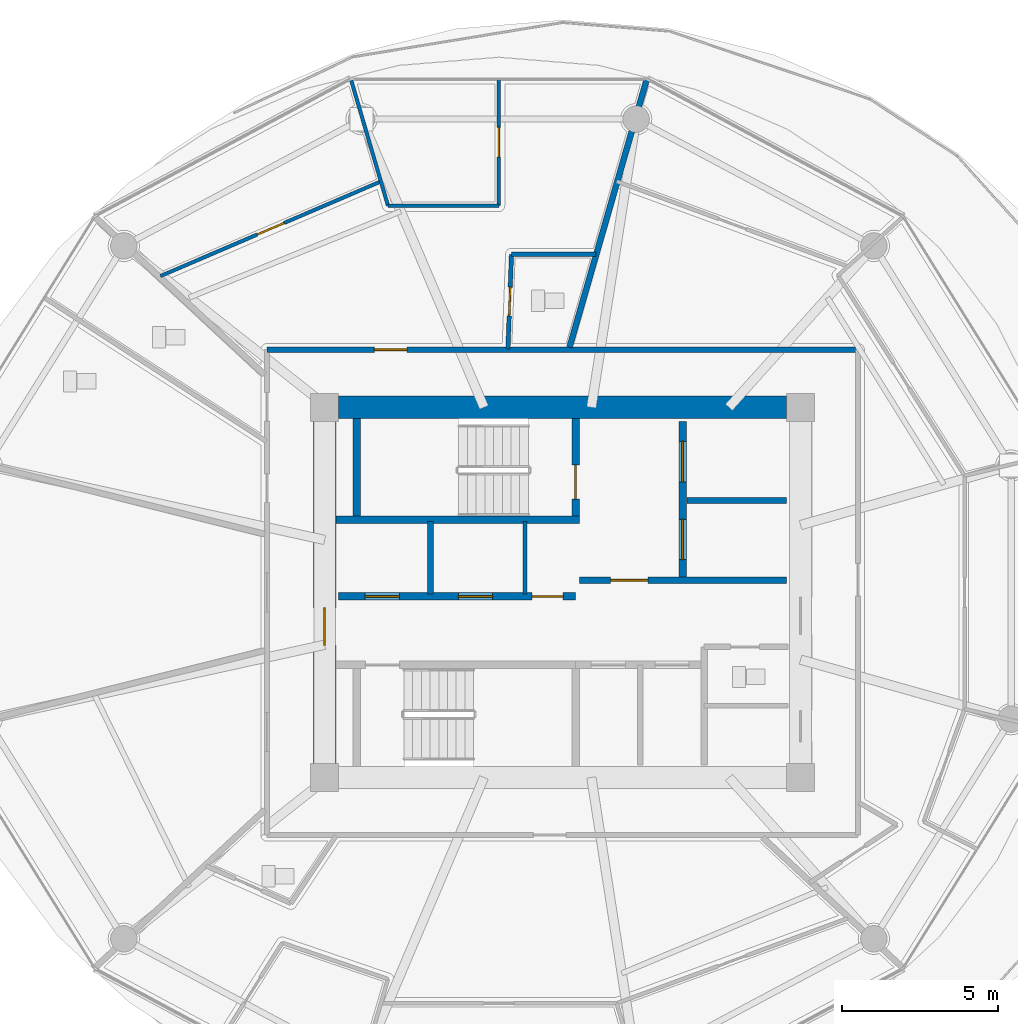
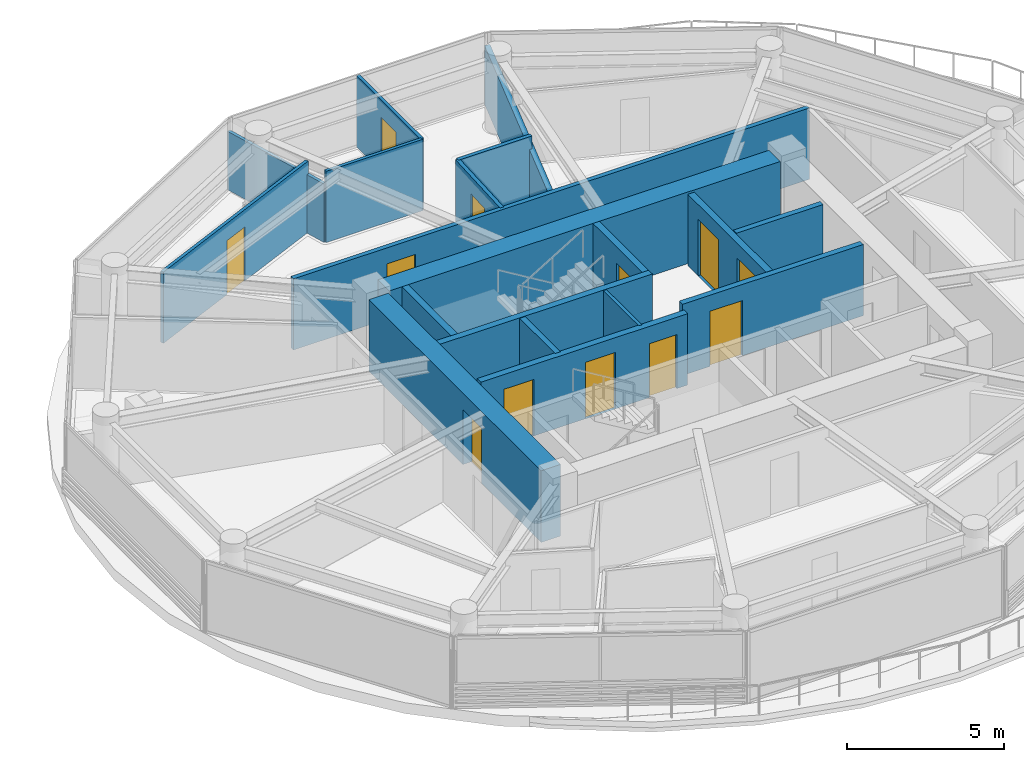
# One storey, part 19 of 32: 19 walls, 12 doors, 12 openings.
"""IFC4 building model written with IfcOpenShell, lengths in metres."""

from ifc_helpers import new_model, si_unit, direction, frame, frame_2d, origin, place, context, subcontext, project, spatial, rectangle, extrude, source, transform, mapped, material, layer, layer_set, type_object, type_shapes, element, fill, save


model = new_model("IFC4")

# Units and contexts
model_context = context("Model", 3, precision=1e-05, world=origin(), true_north=direction((0.0, 1.0)))
body_context = subcontext(model_context, "Body", "Model", "MODEL_VIEW")
ifc_project = project(units=[si_unit("LENGTHUNIT", "METRE"), si_unit("AREAUNIT", "SQUARE_METRE"), si_unit("VOLUMEUNIT", "CUBIC_METRE"), si_unit("PLANEANGLEUNIT", "RADIAN"), si_unit("MASSUNIT", "GRAM", prefix="KILO")], contexts=[model_context])

# Site, building, storey
site_placement = place(None, origin())
site = spatial("IfcSite", under=ifc_project, at=site_placement, CompositionType="ELEMENT")
building_placement = place(site_placement, origin())
building = spatial("IfcBuilding", under=site, at=building_placement, Name="Norrkilde Senior Care Towers", CompositionType="ELEMENT")
storey_placement = place(building_placement, frame((0.0, 0.0, 77.949951171875)))
storey = spatial("IfcBuildingStorey", under=building, at=storey_placement, Name="L23", CompositionType="ELEMENT", Elevation=77.949951171875)

# Wall
ifc_material_1 = material(Name="Concrete C60/75", Category="concrete")
ifc_layer_1 = layer(ifc_material_1, 0.719970703125)
ifc_layer_set_1 = layer_set([ifc_layer_1], Name="Concrete C60/75")
wall_type_1 = type_object("IfcWallType", Name="Core Shear Wall Z2 720", PredefinedType="SHEAR", material=ifc_layer_set_1)
shared_shape_1 = source(origin(), body_context, "Body", "SweptSolid", [
    extrude(rectangle(XDim=14.39990234375, YDim=0.719970703125, at=frame_2d((7.199951171875, 0.0))), origin(), (0.0, 0.0, 1.0), 2.7900390625),
])
wall_1_placement = place(storey_placement, frame((20.800048828125, 5.949951171875, 0.0), z_axis=(0.0, 0.0, 1.0), x_axis=(1.0, 0.0, 0.0)))
element("IfcWall", 1, at=wall_1_placement, inside=storey, type_object=wall_type_1, Name="L23 Core E North Shear Wall", PredefinedType="SHEAR", context=body_context, shape_type="MappedRepresentation", body=[
    mapped(shared_shape_1, transform((0.0, 0.0, 0.0), x_axis=(1.0, 0.0, 0.0), y_axis=(0.0, 1.0, 0.0), z_axis=(0.0, 0.0, 1.0), scale=1.0)),
])

# Wall, opening, door
shared_shape_2 = source(origin(), body_context, "Body", "SweptSolid", [
    extrude(rectangle(XDim=11.0, YDim=0.719970703125, at=frame_2d((5.5, 0.0))), origin(), (0.0, 0.0, 1.0), 2.7900390625),
])
type_shapes(wall_type_1, [shared_shape_1, shared_shape_2])
wall_2_placement = place(storey_placement, frame((20.35009765625, -5.5, 0.0), z_axis=(0.0, 0.0, 1.0), x_axis=(0.0, 1.0, 0.0)))
wall_2 = element("IfcWall", 2, at=wall_2_placement, inside=storey, type_object=wall_type_1, Name="L23 Core E West Shear Wall", PredefinedType="SHEAR", context=body_context, shape_type="MappedRepresentation", body=[
    mapped(shared_shape_2, transform((0.0, 0.0, 0.0), x_axis=(1.0, 0.0, 0.0), y_axis=(0.0, 1.0, 0.0), z_axis=(0.0, 0.0, 1.0), scale=1.0)),
])
opening_1_placement = place(wall_2_placement, frame((3.800048828125, 0.0, 0.0)))
opening_1 = element("IfcOpeningElement", 3, at=opening_1_placement, cuts=wall_2, Name="Opening D-04", PredefinedType="OPENING", context=body_context, shape_type="SweptSolid", body=[
    extrude(rectangle(XDim=1.199951171875, YDim=2.14990234375, at=frame_2d((0.60009765625, 1.074951171875))), frame((0.0, 0.369873046875, 0.0), z_axis=(0.0, -1.0, 0.0), x_axis=(1.0, 0.0, 0.0)), (0.0, 0.0, 1.0), 0.739990234375),
])
ifc_material_2 = material(Name="Galvanised Painted Steel", Category="steel")
door_type_1 = type_object("IfcDoorType", Name="Firefighting Lobby Fire Door 1200x2150", OperationType="NOTDEFINED", PredefinedType="DOOR", material=ifc_material_2)
shared_shape_3 = source(origin(), body_context, "Body", "SweptSolid", [
    extrude(rectangle(XDim=1.199951171875, YDim=2.14990234375, at=frame_2d((0.60009765625, 1.074951171875))), frame((0.0, 0.02490234375, 0.0), z_axis=(0.0, -1.0, 0.0), x_axis=(1.0, 0.0, 0.0)), (0.0, 0.0, 1.0), 0.050048828125),
])
type_shapes(door_type_1, [shared_shape_3])
door_1_placement = place(opening_1_placement, frame((1.199951171875, 0.0, 0.0), z_axis=(0.0, 0.0, 1.0), x_axis=(-1.0, 0.0, 0.0)))
door_1 = element("IfcDoor", 4, at=door_1_placement, inside=storey, type_object=door_type_1, Name="L23 Core E West Portal Door", OperationType="SINGLE_SWING_LEFT", OverallHeight=2.14990234375, OverallWidth=1.199951171875, PredefinedType="DOOR", context=body_context, shape_type="MappedRepresentation", body=[
    mapped(shared_shape_3, transform((0.0, 0.0, 0.0), x_axis=(1.0, 0.0, 0.0), y_axis=(0.0, 1.0, 0.0), z_axis=(0.0, 0.0, 1.0), scale=1.0)),
])
fill(opening_1, door_1)

# Wall, openings, doors
ifc_material_3 = material(Name="Concrete C45/55", Category="concrete")
ifc_layer_2 = layer(ifc_material_3, 0.239990234375)
ifc_layer_set_2 = layer_set([ifc_layer_2], Name="Concrete C45/55")
wall_type_2 = type_object("IfcWallType", Name="Lift and Plant Rated Enclosure Partition 240", PredefinedType="PARTITIONING", material=ifc_layer_set_2)
shared_shape_4 = source(origin(), body_context, "Body", "SweptSolid", [
    extrude(rectangle(XDim=5.0, YDim=0.239990234375, at=frame_2d((2.5, 0.0))), origin(), (0.0, 0.0, 1.0), 2.775146484375),
])
wall_3_placement = place(storey_placement, frame((31.860107421875, 0.5, 0.0), z_axis=(0.0, 0.0, 1.0), x_axis=(0.0, 1.0, 0.0)))
wall_3 = element("IfcWall", 5, at=wall_3_placement, inside=storey, type_object=wall_type_2, Name="WL-INT-L23-E-FFLE", PredefinedType="PARTITIONING", context=body_context, shape_type="MappedRepresentation", body=[
    mapped(shared_shape_4, transform((0.0, 0.0, 0.0), x_axis=(1.0, 0.0, 0.0), y_axis=(0.0, 1.0, 0.0), z_axis=(0.0, 0.0, 1.0), scale=1.0)),
])
opening_2_placement = place(wall_3_placement, frame((3.050048828125, 0.0, 0.0)))
opening_2 = element("IfcOpeningElement", 6, at=opening_2_placement, cuts=wall_3, Name="Opening LD-02", PredefinedType="OPENING", context=body_context, shape_type="SweptSolid", body=[
    extrude(rectangle(XDim=1.300048828125, YDim=2.199951171875, at=frame_2d((0.64990234375, 1.10009765625))), frame((0.0, 0.1298828125, 0.0), z_axis=(0.0, -1.0, 0.0), x_axis=(1.0, 0.0, 0.0)), (0.0, 0.0, 1.0), 0.260009765625),
])
opening_3_placement = place(wall_3_placement, frame((0.550048828125, 0.0, 0.0)))
opening_3 = element("IfcOpeningElement", 7, at=opening_3_placement, cuts=wall_3, Name="Opening LD-02", PredefinedType="OPENING", context=body_context, shape_type="SweptSolid", body=[
    extrude(rectangle(XDim=1.300048828125, YDim=2.199951171875, at=frame_2d((0.64990234375, 1.10009765625))), frame((0.0, 0.1298828125, 0.0), z_axis=(0.0, -1.0, 0.0), x_axis=(1.0, 0.0, 0.0)), (0.0, 0.0, 1.0), 0.260009765625),
])
ifc_material_4 = material(Name="Stainless Steel", Category="steel")
door_type_2 = type_object("IfcDoorType", Name="Stretcher and FFL Landing Sliding Door 1300x2200", OperationType="NOTDEFINED", PredefinedType="DOOR", material=ifc_material_4)
shared_shape_5 = source(origin(), body_context, "Body", "SweptSolid", [
    extrude(rectangle(XDim=1.300048828125, YDim=2.199951171875, at=frame_2d((0.64990234375, 1.10009765625))), frame((0.0, 0.02490234375, 0.0), z_axis=(0.0, -1.0, 0.0), x_axis=(1.0, 0.0, 0.0)), (0.0, 0.0, 1.0), 0.050048828125),
])
type_shapes(door_type_2, [shared_shape_5])
door_2_placement = place(opening_2_placement, origin())
door_2 = element("IfcDoor", 8, at=door_2_placement, inside=storey, type_object=door_type_2, Name="L23 Firefighting Lift E1 Landing Door", OperationType="SLIDING_TO_LEFT", OverallHeight=2.199951171875, OverallWidth=1.300048828125, PredefinedType="DOOR", context=body_context, shape_type="MappedRepresentation", body=[
    mapped(shared_shape_5, transform((0.0, 0.0, 0.0), x_axis=(1.0, 0.0, 0.0), y_axis=(0.0, 1.0, 0.0), z_axis=(0.0, 0.0, 1.0), scale=1.0)),
])
fill(opening_2, door_2)
door_3_placement = place(opening_3_placement, origin())
door_3 = element("IfcDoor", 9, at=door_3_placement, inside=storey, type_object=door_type_2, Name="L23 Stretcher Lift E1 Landing Door", OperationType="SLIDING_TO_RIGHT", OverallHeight=2.199951171875, OverallWidth=1.300048828125, PredefinedType="DOOR", context=body_context, shape_type="MappedRepresentation", body=[
    mapped(shared_shape_5, transform((0.0, 0.0, 0.0), x_axis=(1.0, 0.0, 0.0), y_axis=(0.0, 1.0, 0.0), z_axis=(0.0, 0.0, 1.0), scale=1.0)),
])
fill(opening_3, door_3)

# Wall
ifc_layer_3 = layer(ifc_material_3, 0.199951171875)
ifc_layer_set_3 = layer_set([ifc_layer_3], Name="Concrete C45/55")
wall_type_3 = type_object("IfcWallType", Name="Shaft Division and Plant Partition 200", PredefinedType="PARTITIONING", material=ifc_layer_set_3)
shared_shape_6 = source(origin(), body_context, "Body", "SweptSolid", [
    extrude(rectangle(XDim=3.199951171875, YDim=0.199951171875, at=frame_2d((1.60009765625, 0.0))), origin(), (0.0, 0.0, 1.0), 2.775146484375),
])
wall_4_placement = place(storey_placement, frame((32.0, 2.949951171875, 0.0), z_axis=(0.0, 0.0, 1.0), x_axis=(1.0, 0.0, 0.0)))
element("IfcWall", 10, at=wall_4_placement, inside=storey, type_object=wall_type_3, Name="WL-INT-L23-E-FFLDIV", PredefinedType="PARTITIONING", context=body_context, shape_type="MappedRepresentation", body=[
    mapped(shared_shape_6, transform((0.0, 0.0, 0.0), x_axis=(1.0, 0.0, 0.0), y_axis=(0.0, 1.0, 0.0), z_axis=(0.0, 0.0, 1.0), scale=1.0)),
])

# Wall, opening, door
ifc_layer_4 = layer(ifc_material_3, 0.2099609375)
ifc_layer_set_4 = layer_set([ifc_layer_4], Name="Concrete C45/55")
wall_type_4 = type_object("IfcWallType", Name="Firefighting Lobby Wall 210", PredefinedType="PARTITIONING", material=ifc_layer_set_4)
shared_shape_7 = source(origin(), body_context, "Body", "SweptSolid", [
    extrude(rectangle(XDim=6.659912109375, YDim=0.2099609375, at=frame_2d((3.330078125, 0.0))), origin(), (0.0, 0.0, 1.0), 2.775146484375),
])
type_shapes(wall_type_4, [shared_shape_7])
wall_5_placement = place(storey_placement, frame((28.5400390625, 0.389892578125, 0.0), z_axis=(0.0, 0.0, 1.0), x_axis=(1.0, 0.0, 0.0)))
wall_5 = element("IfcWall", 11, at=wall_5_placement, inside=storey, type_object=wall_type_4, Name="WL-INT-L23-E-FFLS", PredefinedType="PARTITIONING", context=body_context, shape_type="MappedRepresentation", body=[
    mapped(shared_shape_7, transform((0.0, 0.0, 0.0), x_axis=(1.0, 0.0, 0.0), y_axis=(0.0, 1.0, 0.0), z_axis=(0.0, 0.0, 1.0), scale=1.0)),
])
opening_4_placement = place(wall_5_placement, frame((1.0, 0.0, 0.0)))
opening_4 = element("IfcOpeningElement", 12, at=opening_4_placement, cuts=wall_5, Name="Opening D-04", PredefinedType="OPENING", context=body_context, shape_type="SweptSolid", body=[
    extrude(rectangle(XDim=1.199951171875, YDim=2.14990234375, at=frame_2d((0.60009765625, 1.074951171875))), frame((0.0, 0.114990234375, 0.0), z_axis=(0.0, -1.0, 0.0), x_axis=(1.0, 0.0, 0.0)), (0.0, 0.0, 1.0), 0.22998046875),
])
door_4_placement = place(opening_4_placement, frame((1.199951171875, 0.0, 0.0), z_axis=(0.0, 0.0, 1.0), x_axis=(-1.0, 0.0, 0.0)))
door_4 = element("IfcDoor", 13, at=door_4_placement, inside=storey, type_object=door_type_1, Name="L23 Firefighting Lobby E Door", OperationType="SINGLE_SWING_LEFT", OverallHeight=2.14990234375, OverallWidth=1.199951171875, PredefinedType="DOOR", context=body_context, shape_type="MappedRepresentation", body=[
    mapped(shared_shape_3, transform((0.0, 0.0, 0.0), x_axis=(1.0, 0.0, 0.0), y_axis=(0.0, 1.0, 0.0), z_axis=(0.0, 0.0, 1.0), scale=1.0)),
])
fill(opening_4, door_4)

# Wall, openings, doors
shared_shape_8 = source(origin(), body_context, "Body", "SweptSolid", [
    extrude(rectangle(XDim=7.619873046875, YDim=0.239990234375, at=frame_2d((3.81005859375, 0.0))), origin(), (0.0, 0.0, 1.0), 2.775146484375),
])
type_shapes(wall_type_2, [shared_shape_4, shared_shape_8])
wall_6_placement = place(storey_placement, frame((20.800048828125, -0.1298828125, 0.0), z_axis=(0.0, 0.0, 1.0), x_axis=(1.0, 0.0, 0.0)))
wall_6 = element("IfcWall", 14, at=wall_6_placement, inside=storey, type_object=wall_type_2, Name="WL-INT-L23-E-PKAS", PredefinedType="PARTITIONING", context=body_context, shape_type="MappedRepresentation", body=[
    mapped(shared_shape_8, transform((0.0, 0.0, 0.0), x_axis=(1.0, 0.0, 0.0), y_axis=(0.0, 1.0, 0.0), z_axis=(0.0, 0.0, 1.0), scale=1.0)),
])
opening_5_placement = place(wall_6_placement, frame((6.219970703125, 0.0, 0.0)))
opening_5 = element("IfcOpeningElement", 15, at=opening_5_placement, cuts=wall_6, Name="Opening D-10", PredefinedType="OPENING", context=body_context, shape_type="SweptSolid", body=[
    extrude(rectangle(XDim=1.0, YDim=2.10009765625, at=frame_2d((0.5, 1.050048828125))), frame((0.0, 0.1298828125, 0.0), z_axis=(0.0, -1.0, 0.0), x_axis=(1.0, 0.0, 0.0)), (0.0, 0.0, 1.0), 0.260009765625),
])
opening_6_placement = place(wall_6_placement, frame((0.85009765625, 0.0, 0.0)))
opening_6 = element("IfcOpeningElement", 16, at=opening_6_placement, cuts=wall_6, Name="Opening LD-01", PredefinedType="OPENING", context=body_context, shape_type="SweptSolid", body=[
    extrude(rectangle(XDim=1.10009765625, YDim=2.199951171875, at=frame_2d((0.550048828125, 1.10009765625))), frame((0.0, 0.1298828125, 0.0), z_axis=(0.0, -1.0, 0.0), x_axis=(1.0, 0.0, 0.0)), (0.0, 0.0, 1.0), 0.260009765625),
])
opening_7_placement = place(wall_6_placement, frame((3.85009765625, 0.0, 0.0)))
opening_7 = element("IfcOpeningElement", 17, at=opening_7_placement, cuts=wall_6, Name="Opening LD-01", PredefinedType="OPENING", context=body_context, shape_type="SweptSolid", body=[
    extrude(rectangle(XDim=1.10009765625, YDim=2.199951171875, at=frame_2d((0.550048828125, 1.10009765625))), frame((0.0, 0.1298828125, 0.0), z_axis=(0.0, -1.0, 0.0), x_axis=(1.0, 0.0, 0.0)), (0.0, 0.0, 1.0), 0.260009765625),
])
door_type_3 = type_object("IfcDoorType", Name="Plant and Riser Rated Door 1000x2100", OperationType="NOTDEFINED", PredefinedType="DOOR", material=ifc_material_2)
shared_shape_9 = source(origin(), body_context, "Body", "SweptSolid", [
    extrude(rectangle(XDim=1.0, YDim=2.10009765625, at=frame_2d((0.5, 1.050048828125))), frame((0.0, 0.02490234375, 0.0), z_axis=(0.0, -1.0, 0.0), x_axis=(1.0, 0.0, 0.0)), (0.0, 0.0, 1.0), 0.050048828125),
])
type_shapes(door_type_3, [shared_shape_9])
door_5_placement = place(opening_5_placement, frame((1.0, 0.0, 0.0), z_axis=(0.0, 0.0, 1.0), x_axis=(-1.0, 0.0, 0.0)))
door_5 = element("IfcDoor", 18, at=door_5_placement, inside=storey, type_object=door_type_3, Name="L23 Electrical Riser E Door", OperationType="SINGLE_SWING_LEFT", OverallHeight=2.10009765625, OverallWidth=1.0, PredefinedType="DOOR", context=body_context, shape_type="MappedRepresentation", body=[
    mapped(shared_shape_9, transform((0.0, 0.0, 0.0), x_axis=(1.0, 0.0, 0.0), y_axis=(0.0, 1.0, 0.0), z_axis=(0.0, 0.0, 1.0), scale=1.0)),
])
fill(opening_5, door_5)
door_type_4 = type_object("IfcDoorType", Name="Lift Landing Sliding Door 1100x2200", OperationType="NOTDEFINED", PredefinedType="DOOR", material=ifc_material_4)
shared_shape_10 = source(origin(), body_context, "Body", "SweptSolid", [
    extrude(rectangle(XDim=1.10009765625, YDim=2.199951171875, at=frame_2d((0.550048828125, 1.10009765625))), frame((0.0, 0.02490234375, 0.0), z_axis=(0.0, -1.0, 0.0), x_axis=(1.0, 0.0, 0.0)), (0.0, 0.0, 1.0), 0.050048828125),
])
type_shapes(door_type_4, [shared_shape_10])
door_6_placement = place(opening_6_placement, origin())
door_6 = element("IfcDoor", 19, at=door_6_placement, inside=storey, type_object=door_type_4, Name="L23 Passenger Lift E1 Landing Door", OperationType="SLIDING_TO_LEFT", OverallHeight=2.199951171875, OverallWidth=1.10009765625, PredefinedType="DOOR", context=body_context, shape_type="MappedRepresentation", body=[
    mapped(shared_shape_10, transform((0.0, 0.0, 0.0), x_axis=(1.0, 0.0, 0.0), y_axis=(0.0, 1.0, 0.0), z_axis=(0.0, 0.0, 1.0), scale=1.0)),
])
fill(opening_6, door_6)
door_7_placement = place(opening_7_placement, origin())
door_7 = element("IfcDoor", 20, at=door_7_placement, inside=storey, type_object=door_type_4, Name="L23 Passenger Lift E2 Landing Door", OperationType="SLIDING_TO_RIGHT", OverallHeight=2.199951171875, OverallWidth=1.10009765625, PredefinedType="DOOR", context=body_context, shape_type="MappedRepresentation", body=[
    mapped(shared_shape_10, transform((0.0, 0.0, 0.0), x_axis=(1.0, 0.0, 0.0), y_axis=(0.0, 1.0, 0.0), z_axis=(0.0, 0.0, 1.0), scale=1.0)),
])
fill(opening_7, door_7)

# Walls
ifc_material_5 = material(Name="Gypsum Acoustic Board")
ifc_layer_5 = layer(ifc_material_5, 0.114990234375)
ifc_layer_set_5 = layer_set([ifc_layer_5], Name="Gypsum Acoustic Board")
wall_type_5 = type_object("IfcWallType", Name="Internal Room Partition 115", PredefinedType="PARTITIONING", material=ifc_layer_set_5)
shared_shape_11 = source(origin(), body_context, "Body", "SweptSolid", [
    extrude(rectangle(XDim=2.330078125, YDim=0.114990234375, at=frame_2d((1.1650390625, 0.0))), origin(), (0.0, 0.0, 1.0), 2.775146484375),
])
wall_7_placement = place(storey_placement, frame((26.7900390625, -0.050048828125, 0.0), z_axis=(0.0, 0.0, 1.0), x_axis=(0.0, 1.0, 0.0)))
element("IfcWall", 21, at=wall_7_placement, inside=storey, type_object=wall_type_5, Name="WL-INT-L23-E-RISW", PredefinedType="PARTITIONING", context=body_context, shape_type="MappedRepresentation", body=[
    mapped(shared_shape_11, transform((0.0, 0.0, 0.0), x_axis=(1.0, 0.0, 0.0), y_axis=(0.0, 1.0, 0.0), z_axis=(0.0, 0.0, 1.0), scale=1.0)),
])
shared_shape_12 = source(origin(), body_context, "Body", "SweptSolid", [
    extrude(rectangle(XDim=2.330078125, YDim=0.199951171875, at=frame_2d((1.1650390625, 0.0))), origin(), (0.0, 0.0, 1.0), 2.775146484375),
])
type_shapes(wall_type_3, [shared_shape_6, shared_shape_12])
wall_8_placement = place(storey_placement, frame((23.75, -0.050048828125, 0.0), z_axis=(0.0, 0.0, 1.0), x_axis=(0.0, 1.0, 0.0)))
element("IfcWall", 22, at=wall_8_placement, inside=storey, type_object=wall_type_3, Name="WL-INT-L23-E-PL12", PredefinedType="PARTITIONING", context=body_context, shape_type="MappedRepresentation", body=[
    mapped(shared_shape_12, transform((0.0, 0.0, 0.0), x_axis=(1.0, 0.0, 0.0), y_axis=(0.0, 1.0, 0.0), z_axis=(0.0, 0.0, 1.0), scale=1.0)),
])

# Wall, opening, door
ifc_layer_6 = layer(ifc_material_5, 0.1650390625)
ifc_layer_set_6 = layer_set([ifc_layer_6], Name="Gypsum Acoustic Board")
wall_type_6 = type_object("IfcWallType", Name="Corridor Rated Partition 165", PredefinedType="PARTITIONING", material=ifc_layer_set_6)
shared_shape_13 = source(origin(), body_context, "Body", "SweptSolid", [
    extrude(rectangle(XDim=19.0, YDim=0.1650390625, at=frame_2d((9.5, 0.0))), origin(), (0.0, 0.0, 1.0), 2.775146484375),
])
type_shapes(wall_type_6, [shared_shape_13])
wall_9_placement = place(storey_placement, frame((18.5, 7.800048828125, 0.0), z_axis=(0.0, 0.0, 1.0), x_axis=(1.0, 0.0, 0.0)))
wall_9 = element("IfcWall", 23, at=wall_9_placement, inside=storey, type_object=wall_type_6, Name="WL-INT-L23-E-CRW-N-0", PredefinedType="PARTITIONING", context=body_context, shape_type="MappedRepresentation", body=[
    mapped(shared_shape_13, transform((0.0, 0.0, 0.0), x_axis=(1.0, 0.0, 0.0), y_axis=(0.0, 1.0, 0.0), z_axis=(0.0, 0.0, 1.0), scale=1.0)),
])
opening_8_placement = place(wall_9_placement, frame((3.4462890625, 0.0, 0.0)))
opening_8 = element("IfcOpeningElement", 24, at=opening_8_placement, cuts=wall_9, Name="Opening D-06", PredefinedType="OPENING", context=body_context, shape_type="SweptSolid", body=[
    extrude(rectangle(XDim=1.050048828125, YDim=2.14990234375, at=frame_2d((0.52490234375, 1.074951171875))), frame((0.0, 0.092529296875, 0.0), z_axis=(0.0, -1.0, 0.0), x_axis=(1.0, 0.0, 0.0)), (0.0, 0.0, 1.0), 0.18505859375),
])
ifc_material_6 = material(Name="Nordic Ash Timber", Category="wood")
door_type_5 = type_object("IfcDoorType", Name="Apartment Entrance Fire Door 1050x2150", OperationType="NOTDEFINED", PredefinedType="DOOR", material=ifc_material_6)
shared_shape_14 = source(origin(), body_context, "Body", "SweptSolid", [
    extrude(rectangle(XDim=1.050048828125, YDim=2.14990234375, at=frame_2d((0.52490234375, 1.074951171875))), frame((0.0, 0.02490234375, 0.0), z_axis=(0.0, -1.0, 0.0), x_axis=(1.0, 0.0, 0.0)), (0.0, 0.0, 1.0), 0.050048828125),
])
type_shapes(door_type_5, [shared_shape_14])
door_8_placement = place(opening_8_placement, frame((1.050048828125, 0.0, 0.0), z_axis=(0.0, 0.0, 1.0), x_axis=(-1.0, 0.0, 0.0)))
door_8 = element("IfcDoor", 25, at=door_8_placement, inside=storey, type_object=door_type_5, Name="Apartment 23C Entrance Door", OperationType="SINGLE_SWING_LEFT", OverallHeight=2.14990234375, OverallWidth=1.050048828125, PredefinedType="DOOR", context=body_context, shape_type="MappedRepresentation", body=[
    mapped(shared_shape_14, transform((0.0, 0.0, 0.0), x_axis=(1.0, 0.0, 0.0), y_axis=(0.0, 1.0, 0.0), z_axis=(0.0, 0.0, 1.0), scale=1.0)),
])
fill(opening_8, door_8)

# Walls
ifc_layer_7 = layer(ifc_material_3, 0.239990234375)
ifc_layer_set_7 = layer_set([ifc_layer_7], Name="Concrete C45/55")
wall_type_7 = type_object("IfcWallType", Name="Shaft and Stair Enclosure Wall 240", PredefinedType="PARTITIONING", material=ifc_layer_set_7)
shared_shape_15 = source(origin(), body_context, "Body", "SweptSolid", [
    extrude(rectangle(XDim=7.830078125, YDim=0.239990234375, at=frame_2d((3.9150390625, 0.0))), origin(), (0.0, 0.0, 1.0), 2.7900390625),
])
wall_10_placement = place(storey_placement, frame((20.7099609375, 2.330078125, 0.0), z_axis=(0.0, 0.0, 1.0), x_axis=(1.0, 0.0, 0.0)))
element("IfcWall", 26, at=wall_10_placement, inside=storey, type_object=wall_type_7, Name="WL-INT-L23-E-ST1S", PredefinedType="PARTITIONING", context=body_context, shape_type="MappedRepresentation", body=[
    mapped(shared_shape_15, transform((0.0, 0.0, 0.0), x_axis=(1.0, 0.0, 0.0), y_axis=(0.0, 1.0, 0.0), z_axis=(0.0, 0.0, 1.0), scale=1.0)),
])
shared_shape_16 = source(origin(), body_context, "Body", "SweptSolid", [
    extrude(rectangle(XDim=3.14013671875, YDim=0.239990234375, at=frame_2d((1.570068359375, 0.0))), origin(), (0.0, 0.0, 1.0), 2.7900390625),
])
type_shapes(wall_type_7, [shared_shape_15, shared_shape_16])
wall_11_placement = place(storey_placement, frame((21.3798828125, 2.449951171875, 0.0), z_axis=(0.0, 0.0, 1.0), x_axis=(0.0, 1.0, 0.0)))
element("IfcWall", 27, at=wall_11_placement, inside=storey, type_object=wall_type_7, Name="WL-INT-L23-E-ST1W", PredefinedType="PARTITIONING", context=body_context, shape_type="MappedRepresentation", body=[
    mapped(shared_shape_16, transform((0.0, 0.0, 0.0), x_axis=(1.0, 0.0, 0.0), y_axis=(0.0, 1.0, 0.0), z_axis=(0.0, 0.0, 1.0), scale=1.0)),
])

# Wall, opening, door
wall_12_placement = place(storey_placement, frame((28.419921875, 2.449951171875, 0.0), z_axis=(0.0, 0.0, 1.0), x_axis=(0.0, 1.0, 0.0)))
wall_12 = element("IfcWall", 28, at=wall_12_placement, inside=storey, type_object=wall_type_7, Name="WL-INT-L23-E-ST1E", PredefinedType="PARTITIONING", context=body_context, shape_type="MappedRepresentation", body=[
    mapped(shared_shape_16, transform((0.0, 0.0, 0.0), x_axis=(1.0, 0.0, 0.0), y_axis=(0.0, 1.0, 0.0), z_axis=(0.0, 0.0, 1.0), scale=1.0)),
])
opening_9_placement = place(wall_12_placement, frame((0.550048828125, 0.0, 0.0)))
opening_9 = element("IfcOpeningElement", 29, at=opening_9_placement, cuts=wall_12, Name="Opening D-03", PredefinedType="OPENING", context=body_context, shape_type="SweptSolid", body=[
    extrude(rectangle(XDim=1.10009765625, YDim=2.14990234375, at=frame_2d((0.550048828125, 1.074951171875))), frame((0.0, 0.1298828125, 0.0), z_axis=(0.0, -1.0, 0.0), x_axis=(1.0, 0.0, 0.0)), (0.0, 0.0, 1.0), 0.260009765625),
])
door_type_6 = type_object("IfcDoorType", Name="Stairwell Protected Fire Door 1100x2150", OperationType="NOTDEFINED", PredefinedType="DOOR", material=ifc_material_2)
shared_shape_17 = source(origin(), body_context, "Body", "SweptSolid", [
    extrude(rectangle(XDim=1.10009765625, YDim=2.14990234375, at=frame_2d((0.550048828125, 1.074951171875))), frame((0.0, 0.02490234375, 0.0), z_axis=(0.0, -1.0, 0.0), x_axis=(1.0, 0.0, 0.0)), (0.0, 0.0, 1.0), 0.050048828125),
])
type_shapes(door_type_6, [shared_shape_17])
door_9_placement = place(opening_9_placement, origin())
door_9 = element("IfcDoor", 30, at=door_9_placement, inside=storey, type_object=door_type_6, Name="L23 Stair E1 Fire Door", OperationType="SINGLE_SWING_LEFT", OverallHeight=2.14990234375, OverallWidth=1.10009765625, PredefinedType="DOOR", context=body_context, shape_type="MappedRepresentation", body=[
    mapped(shared_shape_17, transform((0.0, 0.0, 0.0), x_axis=(1.0, 0.0, 0.0), y_axis=(0.0, 1.0, 0.0), z_axis=(0.0, 0.0, 1.0), scale=1.0)),
])
fill(opening_9, door_9)

# Wall
ifc_layer_8 = layer(ifc_material_5, 0.18994140625)
ifc_layer_set_8 = layer_set([ifc_layer_8], Name="Gypsum Acoustic Board")
wall_type_8 = type_object("IfcWallType", Name="Unit Demising Acoustic Wall 190", PredefinedType="PARTITIONING", material=ifc_layer_set_8)
shared_shape_18 = source(origin(), body_context, "Body", "SweptSolid", [
    extrude(rectangle(XDim=8.9892578125, YDim=0.18994140625, at=frame_2d((4.49462890625, 0.0))), origin(), (0.0, 0.0, 1.0), 2.275146484375),
])
type_shapes(wall_type_8, [shared_shape_18])
wall_13_placement = place(storey_placement, frame((28.221923828125, 7.8798828125, 0.0), z_axis=(0.0, 0.0, 1.0), x_axis=(0.27702323008, 0.960863221274, 0.0)))
element("IfcWall", 31, at=wall_13_placement, inside=storey, type_object=wall_type_8, Name="WL-INT-L23-E-DEM-02-0", PredefinedType="PARTITIONING", context=body_context, shape_type="MappedRepresentation", body=[
    mapped(shared_shape_18, transform((0.0, 0.0, 0.0), x_axis=(1.0, 0.0, 0.0), y_axis=(0.0, 1.0, 0.0), z_axis=(0.0, 0.0, 1.0), scale=1.0)),
])

# Wall, opening, door
shared_shape_19 = source(origin(), body_context, "Body", "SweptSolid", [
    extrude(rectangle(XDim=7.7177734375, YDim=0.114990234375, at=frame_2d((3.85888671875, 0.0))), origin(), (0.0, 0.0, 1.0), 2.775146484375),
])
wall_14_placement = place(storey_placement, frame((22.16162109375, 13.211669921875, 0.0), z_axis=(0.0, 0.0, 1.0), x_axis=(-0.918922357854, -0.394438461912, 0.0)))
wall_14 = element("IfcWall", 32, at=wall_14_placement, inside=storey, type_object=wall_type_5, Name="WL-INT-L23-E-UBC-02-1", PredefinedType="PARTITIONING", context=body_context, shape_type="MappedRepresentation", body=[
    mapped(shared_shape_19, transform((0.0, 0.0, 0.0), x_axis=(1.0, 0.0, 0.0), y_axis=(0.0, 1.0, 0.0), z_axis=(0.0, 0.0, 1.0), scale=1.0)),
])
opening_10_placement = place(wall_14_placement, frame((3.3837890625, 0.0, 0.0)))
opening_10 = element("IfcOpeningElement", 33, at=opening_10_placement, cuts=wall_14, Name="Opening D-07", PredefinedType="OPENING", context=body_context, shape_type="SweptSolid", body=[
    extrude(rectangle(XDim=0.949951171875, YDim=2.10009765625, at=frame_2d((0.47509765625, 1.050048828125))), frame((0.0, 0.0673828125, 0.0), z_axis=(0.0, -1.0, 0.0), x_axis=(1.0, 0.0, 0.0)), (0.0, 0.0, 1.0), 0.135009765625),
])
door_type_7 = type_object("IfcDoorType", Name="Internal Suite Bedroom Door 950x2100", OperationType="NOTDEFINED", PredefinedType="DOOR", material=ifc_material_6)
shared_shape_20 = source(origin(), body_context, "Body", "SweptSolid", [
    extrude(rectangle(XDim=0.949951171875, YDim=2.10009765625, at=frame_2d((0.47509765625, 1.050048828125))), frame((0.0, 0.02490234375, 0.0), z_axis=(0.0, -1.0, 0.0), x_axis=(1.0, 0.0, 0.0)), (0.0, 0.0, 1.0), 0.050048828125),
])
type_shapes(door_type_7, [shared_shape_20])
door_10_placement = place(opening_10_placement, origin())
door_10 = element("IfcDoor", 34, at=door_10_placement, inside=storey, type_object=door_type_7, Name="Apartment 23C Bedroom 1 Door", OperationType="SINGLE_SWING_RIGHT", OverallHeight=2.10009765625, OverallWidth=0.949951171875, PredefinedType="DOOR", context=body_context, shape_type="MappedRepresentation", body=[
    mapped(shared_shape_20, transform((0.0, 0.0, 0.0), x_axis=(1.0, 0.0, 0.0), y_axis=(0.0, 1.0, 0.0), z_axis=(0.0, 0.0, 1.0), scale=1.0)),
])
fill(opening_10, door_10)

# Wall
shared_shape_21 = source(origin(), body_context, "Body", "SweptSolid", [
    extrude(rectangle(XDim=4.258544921875, YDim=0.114990234375, at=frame_2d((2.12939453125, 0.0))), origin(), (0.0, 0.0, 1.0), 2.275146484375),
])
wall_15_placement = place(storey_placement, frame((22.3857421875, 12.4306640625, 0.0), z_axis=(0.0, 0.0, 1.0), x_axis=(-0.281309574539, 0.959617071166, 0.0)))
element("IfcWall", 35, at=wall_15_placement, inside=storey, type_object=wall_type_5, Name="WL-INT-L23-E-UBR-02-1", PredefinedType="PARTITIONING", context=body_context, shape_type="MappedRepresentation", body=[
    mapped(shared_shape_21, transform((0.0, 0.0, 0.0), x_axis=(1.0, 0.0, 0.0), y_axis=(0.0, 1.0, 0.0), z_axis=(0.0, 0.0, 1.0), scale=1.0)),
])

# Wall, opening, door
ifc_layer_9 = layer(ifc_material_5, 0.139892578125)
ifc_layer_set_9 = layer_set([ifc_layer_9], Name="Gypsum Acoustic Board")
wall_type_9 = type_object("IfcWallType", Name="En-suite Wet Room Wall 140", PredefinedType="PARTITIONING", material=ifc_layer_set_9)
shared_shape_22 = source(origin(), body_context, "Body", "SweptSolid", [
    extrude(rectangle(XDim=3.039794921875, YDim=0.139892578125, at=frame_2d((1.52001953125, 0.0))), origin(), (0.0, 0.0, 1.0), 2.775146484375),
])
wall_16_placement = place(storey_placement, frame((26.24267578125, 7.830078125, 0.0), z_axis=(0.0, 0.0, 1.0), x_axis=(0.037347338878, 0.999302344778, 0.0)))
wall_16 = element("IfcWall", 36, at=wall_16_placement, inside=storey, type_object=wall_type_9, Name="WL-INT-L23-E-UBTS-02", PredefinedType="PARTITIONING", context=body_context, shape_type="MappedRepresentation", body=[
    mapped(shared_shape_22, transform((0.0, 0.0, 0.0), x_axis=(1.0, 0.0, 0.0), y_axis=(0.0, 1.0, 0.0), z_axis=(0.0, 0.0, 1.0), scale=1.0)),
])
opening_11_placement = place(wall_16_placement, frame((1.06005859375, 0.0, 0.0)))
opening_11 = element("IfcOpeningElement", 37, at=opening_11_placement, cuts=wall_16, Name="Opening D-08", PredefinedType="OPENING", context=body_context, shape_type="SweptSolid", body=[
    extrude(rectangle(XDim=0.919921875, YDim=2.10009765625, at=frame_2d((0.4599609375, 1.050048828125))), frame((0.0, 0.079833984375, 0.0), z_axis=(0.0, -1.0, 0.0), x_axis=(1.0, 0.0, 0.0)), (0.0, 0.0, 1.0), 0.159912109375),
])
door_type_8 = type_object("IfcDoorType", Name="Accessible Wet Room Door 920x2100", OperationType="NOTDEFINED", PredefinedType="DOOR", material=ifc_material_6)
shared_shape_23 = source(origin(), body_context, "Body", "SweptSolid", [
    extrude(rectangle(XDim=0.919921875, YDim=2.10009765625, at=frame_2d((0.4599609375, 1.050048828125))), frame((0.0, 0.02490234375, 0.0), z_axis=(0.0, -1.0, 0.0), x_axis=(1.0, 0.0, 0.0)), (0.0, 0.0, 1.0), 0.050048828125),
])
type_shapes(door_type_8, [shared_shape_23])
door_11_placement = place(opening_11_placement, origin())
door_11 = element("IfcDoor", 38, at=door_11_placement, inside=storey, type_object=door_type_8, Name="Apartment 23C Bathroom Door", OperationType="SINGLE_SWING_RIGHT", OverallHeight=2.10009765625, OverallWidth=0.919921875, PredefinedType="DOOR", context=body_context, shape_type="MappedRepresentation", body=[
    mapped(shared_shape_23, transform((0.0, 0.0, 0.0), x_axis=(1.0, 0.0, 0.0), y_axis=(0.0, 1.0, 0.0), z_axis=(0.0, 0.0, 1.0), scale=1.0)),
])
fill(opening_11, door_11)

# Wall
shared_shape_24 = source(origin(), body_context, "Body", "SweptSolid", [
    extrude(rectangle(XDim=2.70947265625, YDim=0.139892578125, at=frame_2d((1.354736328125, 0.0))), origin(), (0.0, 0.0, 1.0), 2.775146484375),
])
type_shapes(wall_type_9, [shared_shape_22, shared_shape_24])
wall_17_placement = place(storey_placement, frame((26.356201171875, 10.86767578125, 0.0), z_axis=(0.0, 0.0, 1.0), x_axis=(0.999999853855, -0.000540637874, 0.0)))
element("IfcWall", 39, at=wall_17_placement, inside=storey, type_object=wall_type_9, Name="WL-INT-L23-E-UBTF-02", PredefinedType="PARTITIONING", context=body_context, shape_type="MappedRepresentation", body=[
    mapped(shared_shape_24, transform((0.0, 0.0, 0.0), x_axis=(1.0, 0.0, 0.0), y_axis=(0.0, 1.0, 0.0), z_axis=(0.0, 0.0, 1.0), scale=1.0)),
])

# Wall, opening, door
shared_shape_25 = source(origin(), body_context, "Body", "SweptSolid", [
    extrude(rectangle(XDim=4.087158203125, YDim=0.114990234375, at=frame_2d((2.04345703125, 0.0))), origin(), (0.0, 0.0, 1.0), 2.775146484375),
])
wall_18_placement = place(storey_placement, frame((25.949951171875, 12.43017578125, 0.0), z_axis=(0.0, 0.0, 1.0), x_axis=(0.0, 1.0, 0.0)))
wall_18 = element("IfcWall", 40, at=wall_18_placement, inside=storey, type_object=wall_type_5, Name="WL-INT-L23-E-UKTS-02", PredefinedType="PARTITIONING", context=body_context, shape_type="MappedRepresentation", body=[
    mapped(shared_shape_25, transform((0.0, 0.0, 0.0), x_axis=(1.0, 0.0, 0.0), y_axis=(0.0, 1.0, 0.0), z_axis=(0.0, 0.0, 1.0), scale=1.0)),
])
opening_12_placement = place(wall_18_placement, frame((1.568603515625, 0.0, 0.0)))
opening_12 = element("IfcOpeningElement", 41, at=opening_12_placement, cuts=wall_18, Name="Opening D-07", PredefinedType="OPENING", context=body_context, shape_type="SweptSolid", body=[
    extrude(rectangle(XDim=0.949951171875, YDim=2.10009765625, at=frame_2d((0.47509765625, 1.050048828125))), frame((0.0, 0.0673828125, 0.0), z_axis=(0.0, -1.0, 0.0), x_axis=(1.0, 0.0, 0.0)), (0.0, 0.0, 1.0), 0.135009765625),
])
door_12_placement = place(opening_12_placement, frame((0.949951171875, 0.0, 0.0), z_axis=(0.0, 0.0, 1.0), x_axis=(-1.0, 0.0, 0.0)))
door_12 = element("IfcDoor", 42, at=door_12_placement, inside=storey, type_object=door_type_7, Name="Apartment 23C Kitchen Door", OperationType="SINGLE_SWING_LEFT", OverallHeight=2.10009765625, OverallWidth=0.949951171875, PredefinedType="DOOR", context=body_context, shape_type="MappedRepresentation", body=[
    mapped(shared_shape_20, transform((0.0, 0.0, 0.0), x_axis=(1.0, 0.0, 0.0), y_axis=(0.0, 1.0, 0.0), z_axis=(0.0, 0.0, 1.0), scale=1.0)),
])
fill(opening_12, door_12)

# Wall
shared_shape_26 = source(origin(), body_context, "Body", "SweptSolid", [
    extrude(rectangle(XDim=3.5634765625, YDim=0.114990234375, at=frame_2d((1.78173828125, 0.0))), origin(), (0.0, 0.0, 1.0), 2.775146484375),
])
type_shapes(wall_type_5, [shared_shape_11, shared_shape_19, shared_shape_21, shared_shape_25, shared_shape_26])
wall_19_placement = place(storey_placement, frame((25.949951171875, 12.43017578125, 0.0), z_axis=(0.0, 0.0, 1.0), x_axis=(-0.99999971602, -0.000753630918, 0.0)))
element("IfcWall", 43, at=wall_19_placement, inside=storey, type_object=wall_type_5, Name="WL-INT-L23-E-UKTF-02", PredefinedType="PARTITIONING", context=body_context, shape_type="MappedRepresentation", body=[
    mapped(shared_shape_26, transform((0.0, 0.0, 0.0), x_axis=(1.0, 0.0, 0.0), y_axis=(0.0, 1.0, 0.0), z_axis=(0.0, 0.0, 1.0), scale=1.0)),
])

save(model, "model.ifc")
